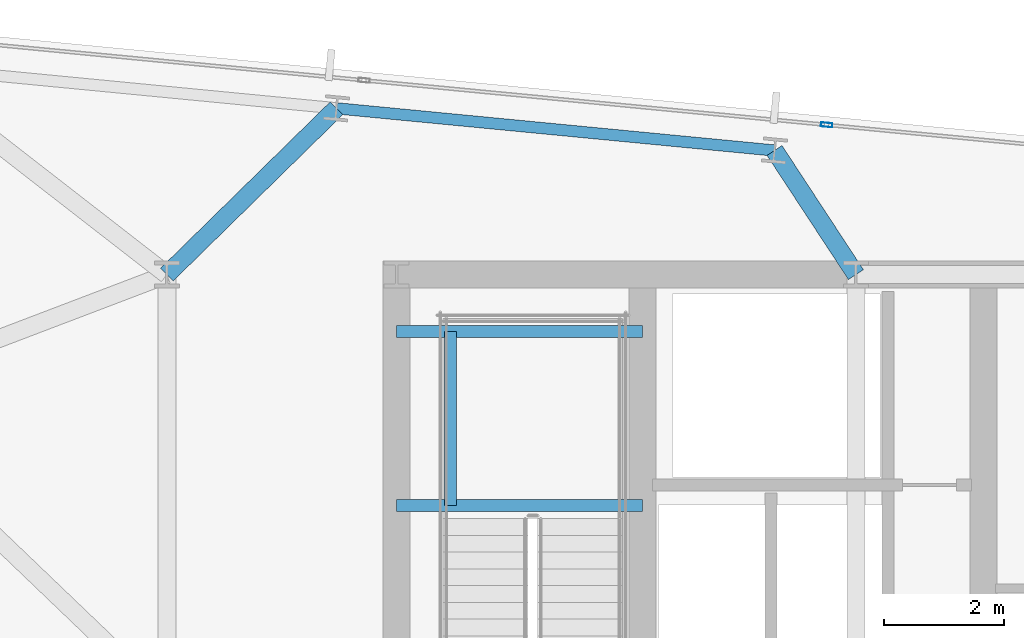
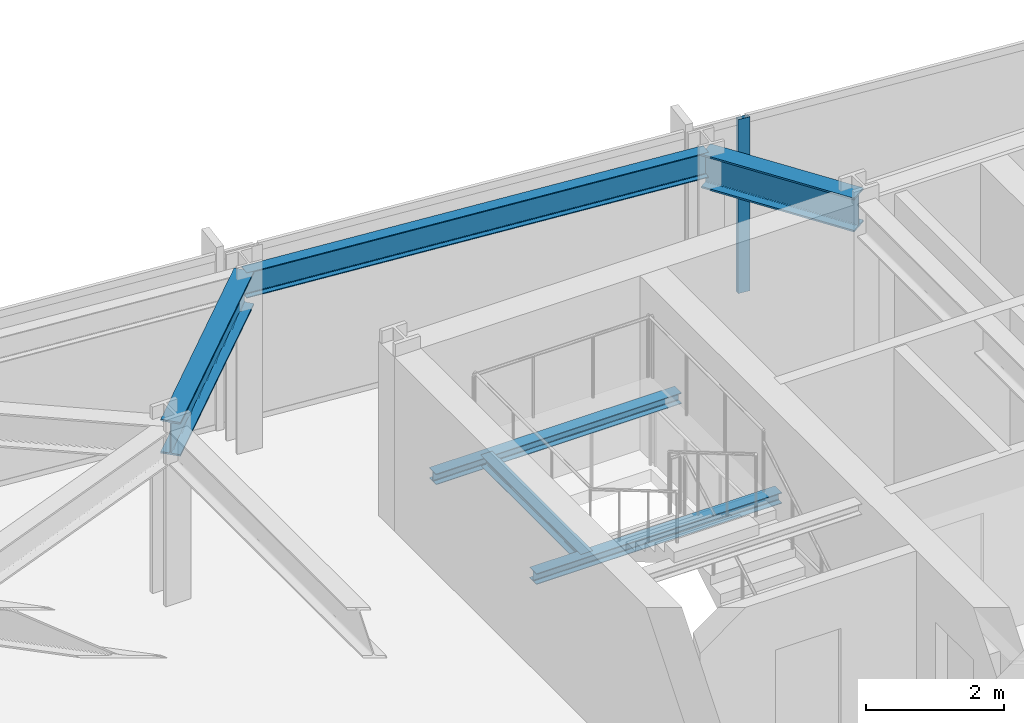
# One storey, part 24 of 38: 6 beams, 1 member, 1 element without a shape of its own.
"""IFC4 building model written with IfcOpenShell, lengths in metres."""

from ifc_helpers import new_model, si_unit, direction, frame, origin, origin_2d, place, context, subcontext, project, spatial, hollow_rectangle, i_section, extrude, material, material_profile, profile_set, type_object, element, aggregate, save


model = new_model("IFC4")

# Units and contexts
model_context = context("Model", 3, precision=1e-05, world=origin(), true_north=direction((0.0, 1.0)))
body_context = subcontext(model_context, "Body", "Model", "MODEL_VIEW")
ifc_project = project(units=[si_unit("LENGTHUNIT", "METRE"), si_unit("AREAUNIT", "SQUARE_METRE"), si_unit("VOLUMEUNIT", "CUBIC_METRE"), si_unit("PLANEANGLEUNIT", "RADIAN"), si_unit("MASSUNIT", "GRAM", prefix="KILO")], contexts=[model_context])

# Site, building, storey
site_placement = place(None, origin())
site = spatial("IfcSite", under=ifc_project, at=site_placement, CompositionType="ELEMENT")
building_placement = place(site_placement, origin())
building = spatial("IfcBuilding", under=site, at=building_placement, Name="Yelkora Congress Tower", CompositionType="ELEMENT")
storey_placement = place(building_placement, frame((0.0, 0.0, 172.10009765625)))
storey = spatial("IfcBuildingStorey", under=building, at=storey_placement, Name="L47", CompositionType="ELEMENT", Elevation=172.10009765625)

# Beams
ifc_material_1 = material(Name="Steel S355J2", Category="steel")
ifc_material_profile_1 = material_profile(ifc_material_1, i_section(OverallWidth=0.300048828125, OverallDepth=0.60009765625, WebThickness=0.015380859375, FlangeThickness=0.030029296875, FilletRadius=0.027099609375, at=origin_2d()), Name="HEB 600")
ifc_profile_set_1 = profile_set([ifc_material_profile_1], Name="Steel S355J2")
beam_type_1 = type_object("IfcBeamType", Name="BM-GIRD-HEB600", PredefinedType="BEAM", material=ifc_profile_set_1)
beam_1_placement = place(storey_placement, frame((22.035400390625, 48.980224609375, 2.77978515625), z_axis=(-0.714019806588, -0.700125500036, 0.0), x_axis=(0.700125500036, -0.714019806588, 0.0)))
element("IfcBeam", 1, at=beam_1_placement, inside=storey, type_object=beam_type_1, Name="L47 Primary Frame Girder N03", PredefinedType="BEAM", context=body_context, shape_type="SweptSolid", body=[
    extrude(i_section(OverallWidth=0.300048828125, OverallDepth=0.60009765625, WebThickness=0.015380859375, FlangeThickness=0.030029296875, FilletRadius=0.027099609375, at=origin_2d()), origin(), (0.0, 0.0, 1.0), 3.97119140625),
])
beam_2_placement = place(storey_placement, frame((29.358642578125, 48.275146484375, 2.77978515625), z_axis=(0.548510321976, -0.8361437835, 0.0), x_axis=(0.8361437835, 0.548510321976, 0.0)))
element("IfcBeam", 2, at=beam_2_placement, inside=storey, type_object=beam_type_1, Name="L47 Primary Frame Girder N04", PredefinedType="BEAM", context=body_context, shape_type="SweptSolid", body=[
    extrude(i_section(OverallWidth=0.300048828125, OverallDepth=0.60009765625, WebThickness=0.015380859375, FlangeThickness=0.030029296875, FilletRadius=0.027099609375, at=origin_2d()), origin(), (0.0, 0.0, 1.0), 2.48193359375),
])
ifc_material_profile_2 = material_profile(ifc_material_1, i_section(OverallWidth=0.199951171875, OverallDepth=0.18994140625, WebThickness=0.006591796875, FlangeThickness=0.010009765625, FilletRadius=0.01806640625, at=origin_2d()), Name="HEA 200")
ifc_profile_set_2 = profile_set([ifc_material_profile_2], Name="Steel S355J2")
beam_type_2 = type_object("IfcBeamType", Name="BM-LAND-HEA200", PredefinedType="BEAM", material=ifc_profile_set_2)
for number, where, z_axis, x_axis, name in (
    (3, (23.0400390625, 42.340087890625, 1.33447265625), (1.0, 0.0, 0.0), (0.0, 1.0, 0.0), "ST-01 L47 Landing Header Beam 1S"),
    (4, (23.0400390625, 45.25, 1.33447265625), (1.0, 0.0, 0.0), (0.0, 1.0, 0.0), "ST-01 L47 Landing Header Beam 1N"),
):
    element("IfcBeam", number, at=place(storey_placement, frame(where, z_axis=z_axis, x_axis=x_axis)), inside=storey, type_object=beam_type_2, Name=name, PredefinedType="BEAM", context=body_context, shape_type="SweptSolid", body=[
        extrude(i_section(OverallWidth=0.199951171875, OverallDepth=0.18994140625, WebThickness=0.006591796875, FlangeThickness=0.010009765625, FilletRadius=0.01806640625, at=origin_2d()), origin(), (0.0, 0.0, 1.0), 4.10986328125),
    ])
beam_3_placement = place(storey_placement, frame((23.93994140625, 42.340087890625, 1.33447265625), z_axis=(0.0, 1.0, 0.0), x_axis=(-1.0, 0.0, 0.0)))
element("IfcBeam", 5, at=beam_3_placement, inside=storey, type_object=beam_type_2, Name="ST-01 L47 Landing Trimmer Beam 1M", PredefinedType="BEAM", context=body_context, shape_type="SweptSolid", body=[
    extrude(i_section(OverallWidth=0.199951171875, OverallDepth=0.18994140625, WebThickness=0.006591796875, FlangeThickness=0.010009765625, FilletRadius=0.01806640625, at=origin_2d()), origin(), (0.0, 0.0, 1.0), 2.909912109375),
])
ifc_material_profile_3 = material_profile(ifc_material_1, i_section(OverallWidth=0.18994140625, OverallDepth=0.449951171875, WebThickness=0.009521484375, FlangeThickness=0.0146484375, FilletRadius=0.02099609375, at=origin_2d()), Name="IPE 450")
ifc_profile_set_3 = profile_set([ifc_material_profile_3], Name="Steel S355J2")
beam_type_3 = type_object("IfcBeamType", Name="BM-SPAN-IPE450", PredefinedType="SPANDREL", material=ifc_profile_set_3)
beam_4_placement = place(storey_placement, frame((29.358642578125, 48.275146484375, 2.85498046875), z_axis=(-0.995397104697, 0.095836339457, 0.0), x_axis=(-0.095836339457, -0.995397104697, 0.0)))
element("IfcBeam", 6, at=beam_4_placement, inside=storey, type_object=beam_type_3, Name="L47 Perimeter Beam 13", PredefinedType="SPANDREL", context=body_context, shape_type="SweptSolid", body=[
    extrude(i_section(OverallWidth=0.18994140625, OverallDepth=0.449951171875, WebThickness=0.009521484375, FlangeThickness=0.0146484375, FilletRadius=0.02099609375, at=origin_2d()), origin(), (0.0, 0.0, 1.0), 7.357177734375),
])

# Curtain wall, member
ifc_material_2 = material(Name="Anodised aluminium and insulated glass", Category="aluminium")
curtain_wall_type = type_object("IfcCurtainWallType", Name="CW-SYS-B3", PredefinedType="NOTDEFINED", material=ifc_material_2)
curtain_wall_placement = place(storey_placement, origin())
curtain_wall = element("IfcCurtainWall", 7, at=curtain_wall_placement, inside=storey, type_object=curtain_wall_type, Name="L47 Unitised Curtain Wall 10 (1)", PredefinedType="NOTDEFINED")
ifc_material_3 = material(Name="Anodised aluminium 6063-T6", Category="aluminium")
ifc_material_profile_4 = material_profile(ifc_material_3, hollow_rectangle(XDim=0.070068359375, YDim=0.18994140625, WallThickness=0.00390625, at=origin_2d()), Name="ALU 70x190x4")
ifc_profile_set_4 = profile_set([ifc_material_profile_4], Name="Anodised aluminium 6063-T6")
member_type = type_object("IfcMemberType", Name="MEM-ML-B3", PredefinedType="MULLION", material=ifc_profile_set_4)
member_placement = place(storey_placement, frame((30.230224609375, 48.70361328125, 0.0), z_axis=(0.0, 0.0, 1.0), x_axis=(0.095844761168, 0.995396293823, 0.0)))
member = element("IfcMember", 8, at=member_placement, type_object=member_type, Name="CW-B3 mullion 4", PredefinedType="MULLION", context=body_context, shape_type="SweptSolid", body=[
    extrude(hollow_rectangle(XDim=0.070068359375, YDim=0.18994140625, WallThickness=0.00390625, at=origin_2d()), origin(), (0.0, 0.0, 1.0), 3.079833984375),
])
aggregate(curtain_wall, [member])

save(model, "model.ifc")
